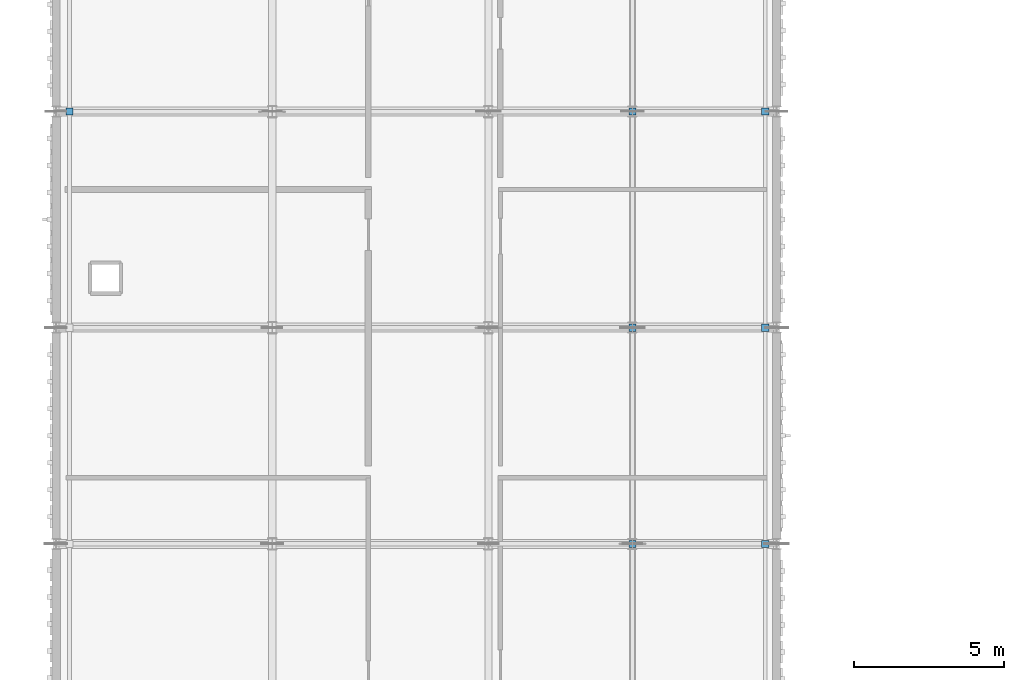
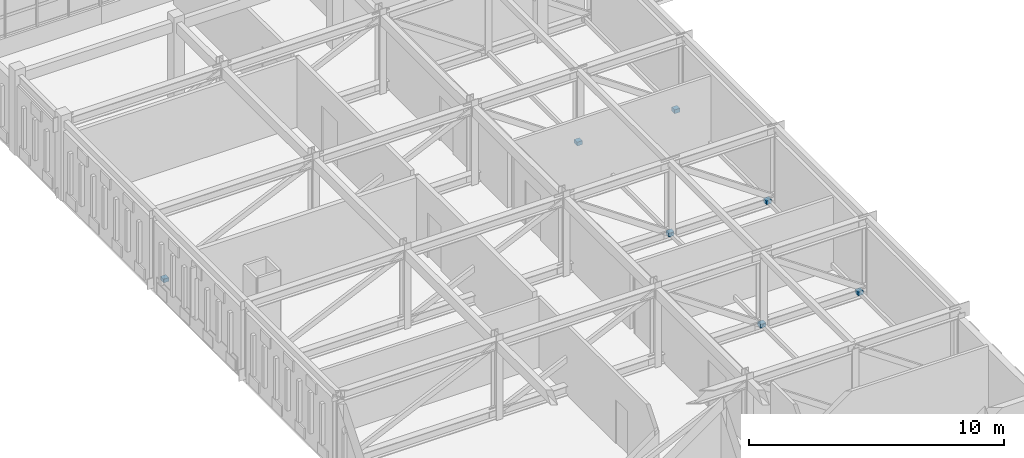
# One storey, part 56 of 79: 7 discrete accessories.
"""IFC4 building model written with IfcOpenShell, lengths in metres."""

from ifc_helpers import new_model, si_unit, direction, frame, origin, origin_2d, place, context, subcontext, project, spatial, rectangle, extrude, material, type_object, element, save


model = new_model("IFC4")

# Units and contexts
model_context = context("Model", 3, precision=1e-05, world=origin(), true_north=direction((0.0, 1.0)))
body_context = subcontext(model_context, "Body", "Model", "MODEL_VIEW")
ifc_project = project(units=[si_unit("LENGTHUNIT", "METRE"), si_unit("AREAUNIT", "SQUARE_METRE"), si_unit("VOLUMEUNIT", "CUBIC_METRE"), si_unit("PLANEANGLEUNIT", "RADIAN"), si_unit("MASSUNIT", "GRAM", prefix="KILO")], contexts=[model_context])

# Site, building, storey
site_placement = place(None, origin())
site = spatial("IfcSite", under=ifc_project, at=site_placement, CompositionType="ELEMENT")
building_placement = place(site_placement, origin())
building = spatial("IfcBuilding", under=site, at=building_placement, Name="Nzembalo Square Collegiate School", CompositionType="ELEMENT")
storey_placement = place(building_placement, frame((0.0, 0.0, 9.52001953125)))
storey = spatial("IfcBuildingStorey", under=building, at=storey_placement, Name="L02", CompositionType="ELEMENT", Elevation=9.52001953125)

# Discrete accessories
ifc_material = material(Name="Steel S355", Category="steel")
discrete_accessory_type = type_object("IfcDiscreteAccessoryType", Name="BK01", PredefinedType="BRACKET", material=ifc_material)
for number, where, z_axis, x_axis, name in (
    (1, (32.02001953125, 57.60009765625, 0.169921875), (0.0, 0.0, 1.0), (1.0, 0.0, 0.0), "Steel S355 brace end gusset shoe BK01-B078"),
    (2, (27.60009765625, 57.60009765625, 0.169921875), (0.0, 0.0, 1.0), (1.0, 0.0, 0.0), "Steel S355 brace end gusset shoe BK01-B080"),
    (3, (32.02001953125, 64.800048828125, 0.169921875), (0.0, 0.0, 1.0), (1.0, 0.0, 0.0), "Steel S355 brace end gusset shoe BK01-B081"),
    (4, (27.60009765625, 64.800048828125, 0.169921875), (0.0, 0.0, 1.0), (1.0, 0.0, 0.0), "Steel S355 brace end gusset shoe BK01-B082"),
    (5, (32.02001953125, 72.0, 0.169921875), (0.0, 0.0, 1.0), (1.0, 0.0, 0.0), "Steel S355 brace end gusset shoe BK01-B083"),
    (6, (27.60009765625, 72.0, 0.169921875), (0.0, 0.0, 1.0), (1.0, 0.0, 0.0), "Steel S355 brace end gusset shoe BK01-B084"),
    (7, (8.85009765625, 72.0, 0.169921875), (0.0, 0.0, 1.0), (1.0, 0.0, 0.0), "Steel S355 brace end gusset shoe BK01-B090"),
):
    element("IfcDiscreteAccessory", number, at=place(storey_placement, frame(where, z_axis=z_axis, x_axis=x_axis)), inside=storey, type_object=discrete_accessory_type, Name=name, PredefinedType="BRACKET", context=body_context, shape_type="SweptSolid", body=[
        extrude(rectangle(XDim=0.239990234375, YDim=0.239990234375, at=origin_2d()), origin(), (0.0, 0.0, 1.0), 0.179931640625),
    ])

save(model, "model.ifc")
